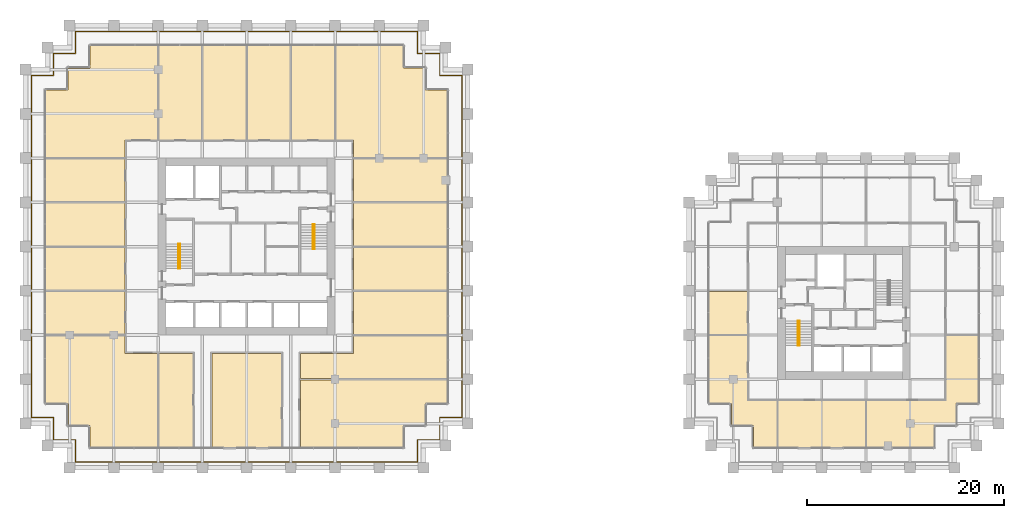
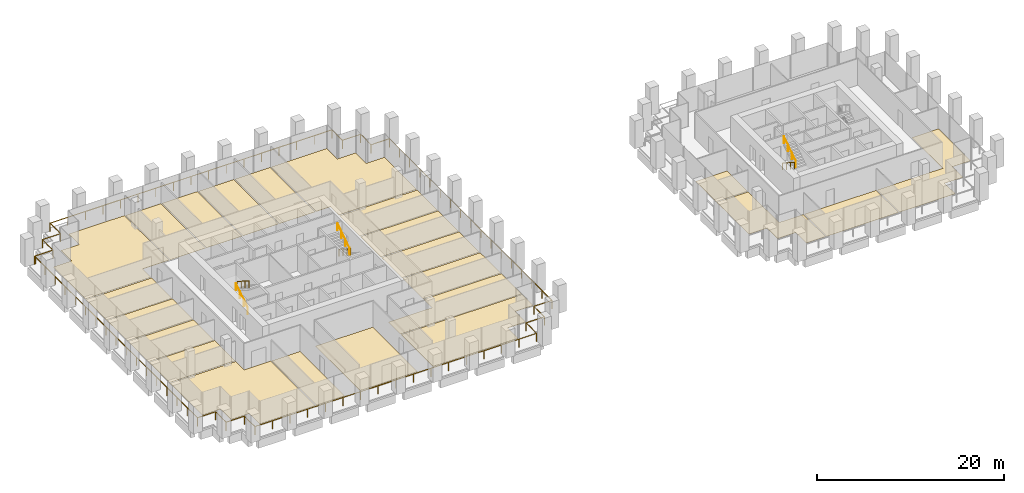
# One storey, part 55 of 56: 23 coverings, 7 railings.
"""IFC4 building model written with IfcOpenShell, lengths in metres."""

from ifc_helpers import new_model, si_unit, direction, frame, origin, origin_2d, place, context, subcontext, project, spatial, polyline, circle, outline, extrude, source, transform, mapped, material, layer, layer_set, type_object, element, save


model = new_model("IFC4")

# Units and contexts
model_context = context("Model", 3, precision=1e-05, world=origin(), true_north=direction((0.0, 1.0)))
body_context = subcontext(model_context, "Body", "Model", "MODEL_VIEW")
ifc_project = project(units=[si_unit("LENGTHUNIT", "METRE"), si_unit("AREAUNIT", "SQUARE_METRE"), si_unit("VOLUMEUNIT", "CUBIC_METRE"), si_unit("PLANEANGLEUNIT", "RADIAN"), si_unit("MASSUNIT", "GRAM", prefix="KILO")], contexts=[model_context])

# Site, building, storey
site_placement = place(None, origin())
site = spatial("IfcSite", under=ifc_project, at=site_placement, CompositionType="ELEMENT")
building_placement = place(site_placement, origin())
building = spatial("IfcBuilding", under=site, at=building_placement, Name="Altepetl Exchange Towers", CompositionType="ELEMENT")
storey_placement = place(building_placement, frame((0.0, 0.0, 76.199951171875)))
storey = spatial("IfcBuildingStorey", under=building, at=storey_placement, Name="L18", CompositionType="ELEMENT", Elevation=76.199951171875)

# Coverings
ifc_material_1 = material(Name="Carpet tile")
ifc_layer_1 = layer(ifc_material_1, 0.02001953125)
ifc_layer_set_1 = layer_set([ifc_layer_1], Name="Carpet tile")
covering_type_1 = type_object("IfcCoveringType", Name="Carpet tile floor", PredefinedType="FLOORING", material=ifc_layer_set_1)
covering_1_placement = place(storey_placement, origin())
element("IfcCovering", 1, at=covering_1_placement, inside=storey, type_object=covering_type_1, Name="Print room floor finish A18.01", PredefinedType="FLOORING", context=body_context, shape_type="SweptSolid", body=[
    extrude(outline(polyline([(37.137451171875, 49.4375), (29.0625, 49.4375), (29.0625, 45.0625), (37.137451171875, 45.0625), (37.137451171875, 49.4375)])), origin(), (0.0, 0.0, 1.0), 0.02001953125),
])
covering_2_placement = place(storey_placement, origin())
element("IfcCovering", 2, at=covering_2_placement, inside=storey, type_object=covering_type_1, Name="Open office floor finish A18.03", PredefinedType="FLOORING", context=body_context, shape_type="SweptSolid", body=[
    extrude(outline(polyline([(37.137451171875, 40.4375), (29.0625, 40.4375), (29.0625, 33.5625), (31.3125, 33.5625), (31.3125, 31.3125), (33.5625, 31.3125), (33.5625, 29.0625), (40.4375, 29.0625), (40.4375, 38.637451171875), (37.137451171875, 38.637451171875), (37.137451171875, 40.4375)])), origin(), (0.0, 0.0, 1.0), 0.02001953125),
])
covering_3_placement = place(storey_placement, origin())
element("IfcCovering", 3, at=covering_3_placement, inside=storey, type_object=covering_type_1, Name="Print room floor finish A18.04", PredefinedType="FLOORING", context=body_context, shape_type="SweptSolid", body=[
    extrude(outline(polyline([(40.5625, 38.637451171875), (40.5625, 29.0625), (44.03759765625, 29.0625), (44.03759765625, 38.637451171875), (40.5625, 38.637451171875)])), origin(), (0.0, 0.0, 1.0), 0.02001953125),
])
covering_4_placement = place(storey_placement, origin())
element("IfcCovering", 4, at=covering_4_placement, inside=storey, type_object=covering_type_1, Name="Meeting room floor finish A18.07", PredefinedType="FLOORING", context=body_context, shape_type="SweptSolid", body=[
    extrude(outline(polyline([(69.9375, 40.4375), (60.362548828125, 40.4375), (60.362548828125, 38.637451171875), (54.96240234375, 38.637451171875), (54.96240234375, 36.0625), (69.9375, 36.0625), (69.9375, 40.4375)])), origin(), (0.0, 0.0, 1.0), 0.02001953125),
])
covering_5_placement = place(storey_placement, origin())
element("IfcCovering", 5, at=covering_5_placement, inside=storey, type_object=covering_type_1, Name="Huddle room floor finish A18.08", PredefinedType="FLOORING", context=body_context, shape_type="SweptSolid", body=[
    extrude(outline(polyline([(69.9375, 44.9375), (60.362548828125, 44.9375), (60.362548828125, 40.5625), (69.9375, 40.5625), (69.9375, 44.9375)])), origin(), (0.0, 0.0, 1.0), 0.02001953125),
])
covering_6_placement = place(storey_placement, origin())
element("IfcCovering", 6, at=covering_6_placement, inside=storey, type_object=covering_type_1, Name="Meeting room floor finish A18.09", PredefinedType="FLOORING", context=body_context, shape_type="SweptSolid", body=[
    extrude(outline(polyline([(69.9375, 49.4375), (60.362548828125, 49.4375), (60.362548828125, 45.0625), (69.9375, 45.0625), (69.9375, 49.4375)])), origin(), (0.0, 0.0, 1.0), 0.02001953125),
])
covering_7_placement = place(storey_placement, origin())
element("IfcCovering", 7, at=covering_7_placement, inside=storey, type_object=covering_type_1, Name="Huddle room floor finish A18.10", PredefinedType="FLOORING", context=body_context, shape_type="SweptSolid", body=[
    extrude(outline(polyline([(69.9375, 53.9375), (60.362548828125, 53.9375), (60.362548828125, 49.5625), (69.9375, 49.5625), (69.9375, 53.9375)])), origin(), (0.0, 0.0, 1.0), 0.02001953125),
])
covering_8_placement = place(storey_placement, origin())
element("IfcCovering", 8, at=covering_8_placement, inside=storey, type_object=covering_type_1, Name="Meeting room floor finish A18.11", PredefinedType="FLOORING", context=body_context, shape_type="SweptSolid", body=[
    extrude(outline(polyline([(69.9375, 58.4375), (60.362548828125, 58.4375), (60.362548828125, 54.0625), (69.9375, 54.0625), (69.9375, 58.4375)])), origin(), (0.0, 0.0, 1.0), 0.02001953125),
])
covering_9_placement = place(storey_placement, origin())
element("IfcCovering", 9, at=covering_9_placement, inside=storey, type_object=covering_type_1, Name="Huddle room floor finish A18.13", PredefinedType="FLOORING", context=body_context, shape_type="SweptSolid", body=[
    extrude(outline(polyline([(54.0625, 69.9375), (54.0625, 60.362548828125), (58.4375, 60.362548828125), (58.4375, 69.9375), (54.0625, 69.9375)])), origin(), (0.0, 0.0, 1.0), 0.02001953125),
])
covering_10_placement = place(storey_placement, origin())
element("IfcCovering", 10, at=covering_10_placement, inside=storey, type_object=covering_type_1, Name="Meeting room floor finish A18.14", PredefinedType="FLOORING", context=body_context, shape_type="SweptSolid", body=[
    extrude(outline(polyline([(49.5625, 69.9375), (49.5625, 60.362548828125), (53.9375, 60.362548828125), (53.9375, 69.9375), (49.5625, 69.9375)])), origin(), (0.0, 0.0, 1.0), 0.02001953125),
])
covering_11_placement = place(storey_placement, origin())
element("IfcCovering", 11, at=covering_11_placement, inside=storey, type_object=covering_type_1, Name="Huddle room floor finish A18.15", PredefinedType="FLOORING", context=body_context, shape_type="SweptSolid", body=[
    extrude(outline(polyline([(45.0625, 69.9375), (45.0625, 60.362548828125), (49.4375, 60.362548828125), (49.4375, 69.9375), (45.0625, 69.9375)])), origin(), (0.0, 0.0, 1.0), 0.02001953125),
])
covering_12_placement = place(storey_placement, origin())
element("IfcCovering", 12, at=covering_12_placement, inside=storey, type_object=covering_type_1, Name="Meeting room floor finish A18.16", PredefinedType="FLOORING", context=body_context, shape_type="SweptSolid", body=[
    extrude(outline(polyline([(40.5625, 69.9375), (40.5625, 60.362548828125), (44.9375, 60.362548828125), (44.9375, 69.9375), (40.5625, 69.9375)])), origin(), (0.0, 0.0, 1.0), 0.02001953125),
])
covering_13_placement = place(storey_placement, origin())
element("IfcCovering", 13, at=covering_13_placement, inside=storey, type_object=covering_type_1, Name="Print room floor finish A18.18", PredefinedType="FLOORING", context=body_context, shape_type="SweptSolid", body=[
    extrude(outline(polyline([(37.137451171875, 58.4375), (29.0625, 58.4375), (29.0625, 54.0625), (37.137451171875, 54.0625), (37.137451171875, 58.4375)])), origin(), (0.0, 0.0, 1.0), 0.02001953125),
])
covering_14_placement = place(storey_placement, origin())
element("IfcCovering", 14, at=covering_14_placement, inside=storey, type_object=covering_type_1, Name="Conference room floor finish B18.01", PredefinedType="FLOORING", context=body_context, shape_type="SweptSolid", body=[
    extrude(outline(polyline([(103.4375, 29.0625), (103.4375, 33.83740234375), (100.4375, 33.83740234375), (100.4375, 40.4375), (96.5625, 40.4375), (96.5625, 33.5625), (98.8125, 33.5625), (98.8125, 31.3125), (101.0625, 31.3125), (101.0625, 29.0625), (103.4375, 29.0625)])), origin(), (0.0, 0.0, 1.0), 0.02001953125),
])
covering_15_placement = place(storey_placement, origin())
element("IfcCovering", 15, at=covering_15_placement, inside=storey, type_object=covering_type_1, Name="Huddle room floor finish B18.02", PredefinedType="FLOORING", context=body_context, shape_type="SweptSolid", body=[
    extrude(outline(polyline([(112.4375, 29.0625), (112.4375, 33.83740234375), (103.5625, 33.83740234375), (103.5625, 29.0625), (112.4375, 29.0625)])), origin(), (0.0, 0.0, 1.0), 0.02001953125),
])
covering_16_placement = place(storey_placement, origin())
element("IfcCovering", 16, at=covering_16_placement, inside=storey, type_object=covering_type_1, Name="Legal office floor finish B18.03", PredefinedType="FLOORING", context=body_context, shape_type="SweptSolid", body=[
    extrude(outline(polyline([(123.9375, 40.4375), (120.66259765625, 40.4375), (120.66259765625, 33.83740234375), (112.5625, 33.83740234375), (112.5625, 29.0625), (119.4375, 29.0625), (119.4375, 31.3125), (121.6875, 31.3125), (121.6875, 33.5625), (123.9375, 33.5625), (123.9375, 40.4375)])), origin(), (0.0, 0.0, 1.0), 0.02001953125),
])
covering_17_placement = place(storey_placement, origin())
element("IfcCovering", 17, at=covering_17_placement, inside=storey, type_object=covering_type_1, Name="Print room floor finish B18.08", PredefinedType="FLOORING", context=body_context, shape_type="SweptSolid", body=[
    extrude(outline(polyline([(96.5625, 40.5625), (100.4375, 40.5625), (100.4375, 44.9375), (96.5625, 44.9375), (96.5625, 40.5625)])), origin(), (0.0, 0.0, 1.0), 0.02001953125),
])
ifc_material_2 = material(Name="Calcium sulphate access floor panel")
ifc_layer_2 = layer(ifc_material_2, 0.0400390625)
ifc_layer_set_2 = layer_set([ifc_layer_2], Name="Calcium sulphate access floor panel")
covering_type_2 = type_object("IfcCoveringType", Name="Raised access floor panels", PredefinedType="FLOORING", material=ifc_layer_set_2)
covering_18_placement = place(storey_placement, origin())
element("IfcCovering", 18, at=covering_18_placement, inside=storey, type_object=covering_type_2, Name="Data room floor finish A18.02", PredefinedType="FLOORING", context=body_context, shape_type="SweptSolid", body=[
    extrude(outline(polyline([(37.137451171875, 44.9375), (29.0625, 44.9375), (29.0625, 40.5625), (37.137451171875, 40.5625), (37.137451171875, 44.9375)])), origin(), (0.0, 0.0, 1.0), 0.0400390625),
])
covering_19_placement = place(storey_placement, origin())
element("IfcCovering", 19, at=covering_19_placement, inside=storey, type_object=covering_type_2, Name="Clearing office floor finish A18.05", PredefinedType="FLOORING", context=body_context, shape_type="SweptSolid", body=[
    extrude(outline(polyline([(45.96240234375, 38.637451171875), (45.96240234375, 29.0625), (53.03759765625, 29.0625), (53.03759765625, 38.637451171875), (45.96240234375, 38.637451171875)])), origin(), (0.0, 0.0, 1.0), 0.0400390625),
])
covering_20_placement = place(storey_placement, origin())
element("IfcCovering", 20, at=covering_20_placement, inside=storey, type_object=covering_type_2, Name="Settlement office floor finish A18.06", PredefinedType="FLOORING", context=body_context, shape_type="SweptSolid", body=[
    extrude(outline(polyline([(69.9375, 35.9375), (54.96240234375, 35.9375), (54.96240234375, 29.0625), (65.4375, 29.0625), (65.4375, 31.3125), (67.6875, 31.3125), (67.6875, 33.5625), (69.9375, 33.5625), (69.9375, 35.9375)])), origin(), (0.0, 0.0, 1.0), 0.0400390625),
])
covering_21_placement = place(storey_placement, origin())
element("IfcCovering", 21, at=covering_21_placement, inside=storey, type_object=covering_type_2, Name="Settlement office floor finish A18.12", PredefinedType="FLOORING", context=body_context, shape_type="SweptSolid", body=[
    extrude(outline(polyline([(69.9375, 58.5625), (69.9375, 65.4375), (67.6875, 65.4375), (67.6875, 67.6875), (65.4375, 67.6875), (65.4375, 69.9375), (58.5625, 69.9375), (58.5625, 60.362548828125), (60.362548828125, 60.362548828125), (60.362548828125, 58.5625), (69.9375, 58.5625)])), origin(), (0.0, 0.0, 1.0), 0.0400390625),
])
covering_22_placement = place(storey_placement, origin())
element("IfcCovering", 22, at=covering_22_placement, inside=storey, type_object=covering_type_2, Name="Clearing office floor finish A18.17", PredefinedType="FLOORING", context=body_context, shape_type="SweptSolid", body=[
    extrude(outline(polyline([(33.5625, 69.9375), (33.5625, 67.6875), (31.3125, 67.6875), (31.3125, 65.4375), (29.0625, 65.4375), (29.0625, 58.5625), (37.137451171875, 58.5625), (37.137451171875, 60.362548828125), (40.4375, 60.362548828125), (40.4375, 69.9375), (33.5625, 69.9375)])), origin(), (0.0, 0.0, 1.0), 0.0400390625),
])
covering_23_placement = place(storey_placement, origin())
element("IfcCovering", 23, at=covering_23_placement, inside=storey, type_object=covering_type_2, Name="Data room floor finish A18.19", PredefinedType="FLOORING", context=body_context, shape_type="SweptSolid", body=[
    extrude(outline(polyline([(37.137451171875, 53.9375), (29.0625, 53.9375), (29.0625, 49.5625), (37.137451171875, 49.5625), (37.137451171875, 53.9375)])), origin(), (0.0, 0.0, 1.0), 0.0400390625),
])

# Railings
ifc_material_3 = material(Name="Steel S355", Category="steel")
railing_type_1 = type_object("IfcRailingType", Name="Guard 1100 steel posts and rail", PredefinedType="GUARDRAIL", material=ifc_material_3)
shared_shape_1 = source(origin(), body_context, "Body", "SweptSolid", [
    extrude(circle(Radius=0.02099609375, at=origin_2d()), origin(), (0.0, 0.0, 1.0), 1.052001953125),
])
railing_1_placement = place(storey_placement, frame((27.60009765625, 66.89990234375, 0.0)))
element("IfcRailing", 24, at=railing_1_placement, inside=storey, type_object=railing_type_1, Name="Loggia guard", PredefinedType="GUARDRAIL", context=body_context, shape_type="SweptSolid", body=[
    extrude(circle(Radius=0.02392578125, at=origin_2d()), frame((0.0, 0.0, 1.076171875), z_axis=(0.0, -1.0, 0.0), x_axis=(1.0, 0.0, 0.0)), (0.0, 0.0, 1.0), 34.7998046875),
    extrude(circle(Radius=0.02392578125, at=origin_2d()), frame((0.0, -34.7998046875, 1.076171875), z_axis=(1.0, 0.0, 0.0), x_axis=(0.0, 1.0, 0.0)), (0.0, 0.0, 1.0), 2.25),
    extrude(circle(Radius=0.02392578125, at=origin_2d()), frame((2.25, -34.7998046875, 1.076171875), z_axis=(0.0, -1.0, 0.0), x_axis=(1.0, 0.0, 0.0)), (0.0, 0.0, 1.0), 2.25),
    extrude(circle(Radius=0.02392578125, at=origin_2d()), frame((2.25, -37.0498046875, 1.076171875), z_axis=(1.0, 0.0, 0.0), x_axis=(0.0, 1.0, 0.0)), (0.0, 0.0, 1.0), 2.25),
    extrude(circle(Radius=0.02392578125, at=origin_2d()), frame((4.5, -37.0498046875, 1.076171875), z_axis=(0.0, -1.0, 0.0), x_axis=(1.0, 0.0, 0.0)), (0.0, 0.0, 1.0), 2.25),
    extrude(circle(Radius=0.02392578125, at=origin_2d()), frame((4.5, -39.2998046875, 1.076171875), z_axis=(1.0, 0.0, 0.0), x_axis=(0.0, 1.0, 0.0)), (0.0, 0.0, 1.0), 34.7998046875),
    extrude(circle(Radius=0.02392578125, at=origin_2d()), frame((39.2998046875, -39.2998046875, 1.076171875), z_axis=(0.0, 1.0, 0.0), x_axis=(-1.0, 0.0, 0.0)), (0.0, 0.0, 1.0), 2.25),
    extrude(circle(Radius=0.02392578125, at=origin_2d()), frame((39.2998046875, -37.0498046875, 1.076171875), z_axis=(1.0, 0.0, 0.0), x_axis=(0.0, 1.0, 0.0)), (0.0, 0.0, 1.0), 2.25),
    extrude(circle(Radius=0.02392578125, at=origin_2d()), frame((41.5498046875, -37.0498046875, 1.076171875), z_axis=(0.0, 1.0, 0.0), x_axis=(-1.0, 0.0, 0.0)), (0.0, 0.0, 1.0), 2.25),
    extrude(circle(Radius=0.02392578125, at=origin_2d()), frame((41.5498046875, -34.7998046875, 1.076171875), z_axis=(1.0, 0.0, 0.0), x_axis=(0.0, 1.0, 0.0)), (0.0, 0.0, 1.0), 2.25),
    extrude(circle(Radius=0.02392578125, at=origin_2d()), frame((43.7998046875, -34.7998046875, 1.076171875), z_axis=(0.0, 1.0, 0.0), x_axis=(-1.0, 0.0, 0.0)), (0.0, 0.0, 1.0), 34.7998046875),
    extrude(circle(Radius=0.02392578125, at=origin_2d()), frame((43.7998046875, 0.0, 1.076171875), z_axis=(-1.0, 0.0, 0.0), x_axis=(0.0, -1.0, 0.0)), (0.0, 0.0, 1.0), 2.25),
    extrude(circle(Radius=0.02392578125, at=origin_2d()), frame((41.5498046875, 0.0, 1.076171875), z_axis=(0.0, 1.0, 0.0), x_axis=(-1.0, 0.0, 0.0)), (0.0, 0.0, 1.0), 2.25),
    extrude(circle(Radius=0.02392578125, at=origin_2d()), frame((41.5498046875, 2.25, 1.076171875), z_axis=(-1.0, 0.0, 0.0), x_axis=(0.0, -1.0, 0.0)), (0.0, 0.0, 1.0), 2.25),
    extrude(circle(Radius=0.02392578125, at=origin_2d()), frame((39.2998046875, 2.25, 1.076171875), z_axis=(0.0, 1.0, 0.0), x_axis=(-1.0, 0.0, 0.0)), (0.0, 0.0, 1.0), 2.25),
    extrude(circle(Radius=0.02392578125, at=origin_2d()), frame((39.2998046875, 4.5, 1.076171875), z_axis=(-1.0, 0.0, 0.0), x_axis=(0.0, -1.0, 0.0)), (0.0, 0.0, 1.0), 34.7998046875),
    extrude(circle(Radius=0.02392578125, at=origin_2d()), frame((4.5, 4.5, 1.076171875), z_axis=(0.0, -1.0, 0.0), x_axis=(1.0, 0.0, 0.0)), (0.0, 0.0, 1.0), 2.25),
    extrude(circle(Radius=0.02392578125, at=origin_2d()), frame((4.5, 2.25, 1.076171875), z_axis=(-1.0, 0.0, 0.0), x_axis=(0.0, -1.0, 0.0)), (0.0, 0.0, 1.0), 2.25),
    extrude(circle(Radius=0.02392578125, at=origin_2d()), frame((2.25, 2.25, 1.076171875), z_axis=(0.0, -1.0, 0.0), x_axis=(1.0, 0.0, 0.0)), (0.0, 0.0, 1.0), 2.25),
    extrude(circle(Radius=0.02392578125, at=origin_2d()), frame((2.25, 0.0, 1.076171875), z_axis=(-1.0, 0.0, 0.0), x_axis=(0.0, -1.0, 0.0)), (0.0, 0.0, 1.0), 2.150146484375),
    mapped(shared_shape_1, transform((0.0, 0.0, 0.0))),
    mapped(shared_shape_1, transform((0.0, -2.175048828125, 0.0))),
    mapped(shared_shape_1, transform((0.0, -4.35009765625, 0.0))),
    mapped(shared_shape_1, transform((0.0, -6.52490234375, 0.0))),
    mapped(shared_shape_1, transform((0.0, -8.699951171875, 0.0))),
    mapped(shared_shape_1, transform((0.0, -10.875, 0.0))),
    mapped(shared_shape_1, transform((0.0, -13.0498046875, 0.0))),
    mapped(shared_shape_1, transform((0.0, -15.224853515625, 0.0))),
    mapped(shared_shape_1, transform((0.0, -17.39990234375, 0.0))),
    mapped(shared_shape_1, transform((0.0, -19.574951171875, 0.0))),
    mapped(shared_shape_1, transform((0.0, -21.75, 0.0))),
    mapped(shared_shape_1, transform((0.0, -23.9248046875, 0.0))),
    mapped(shared_shape_1, transform((0.0, -26.099853515625, 0.0))),
    mapped(shared_shape_1, transform((0.0, -28.27490234375, 0.0))),
    mapped(shared_shape_1, transform((0.0, -30.44970703125, 0.0))),
    mapped(shared_shape_1, transform((0.0, -32.624755859375, 0.0))),
    mapped(shared_shape_1, transform((0.0, -34.7998046875, 0.0))),
    mapped(shared_shape_1, transform((2.25, -34.7998046875, 0.0))),
    mapped(shared_shape_1, transform((2.25, -37.0498046875, 0.0))),
    mapped(shared_shape_1, transform((4.5, -37.0498046875, 0.0))),
    mapped(shared_shape_1, transform((4.5, -39.2998046875, 0.0))),
    mapped(shared_shape_1, transform((6.675048828125, -39.2998046875, 0.0))),
    mapped(shared_shape_1, transform((8.85009765625, -39.2998046875, 0.0))),
    mapped(shared_shape_1, transform((11.02490234375, -39.2998046875, 0.0))),
    mapped(shared_shape_1, transform((13.199951171875, -39.2998046875, 0.0))),
    mapped(shared_shape_1, transform((15.375, -39.2998046875, 0.0))),
    mapped(shared_shape_1, transform((17.5498046875, -39.2998046875, 0.0))),
    mapped(shared_shape_1, transform((19.724853515625, -39.2998046875, 0.0))),
    mapped(shared_shape_1, transform((21.89990234375, -39.2998046875, 0.0))),
    mapped(shared_shape_1, transform((24.074951171875, -39.2998046875, 0.0))),
    mapped(shared_shape_1, transform((26.25, -39.2998046875, 0.0))),
    mapped(shared_shape_1, transform((28.4248046875, -39.2998046875, 0.0))),
    mapped(shared_shape_1, transform((30.599853515625, -39.2998046875, 0.0))),
    mapped(shared_shape_1, transform((32.77490234375, -39.2998046875, 0.0))),
    mapped(shared_shape_1, transform((34.94970703125, -39.2998046875, 0.0))),
    mapped(shared_shape_1, transform((37.124755859375, -39.2998046875, 0.0))),
    mapped(shared_shape_1, transform((39.2998046875, -39.2998046875, 0.0))),
    mapped(shared_shape_1, transform((39.2998046875, -37.0498046875, 0.0))),
    mapped(shared_shape_1, transform((41.5498046875, -37.0498046875, 0.0))),
    mapped(shared_shape_1, transform((41.5498046875, -34.7998046875, 0.0))),
    mapped(shared_shape_1, transform((43.7998046875, -34.7998046875, 0.0))),
    mapped(shared_shape_1, transform((43.7998046875, -32.624755859375, 0.0))),
    mapped(shared_shape_1, transform((43.7998046875, -30.44970703125, 0.0))),
    mapped(shared_shape_1, transform((43.7998046875, -28.27490234375, 0.0))),
    mapped(shared_shape_1, transform((43.7998046875, -26.099853515625, 0.0))),
    mapped(shared_shape_1, transform((43.7998046875, -23.9248046875, 0.0))),
    mapped(shared_shape_1, transform((43.7998046875, -21.75, 0.0))),
    mapped(shared_shape_1, transform((43.7998046875, -19.574951171875, 0.0))),
    mapped(shared_shape_1, transform((43.7998046875, -17.39990234375, 0.0))),
    mapped(shared_shape_1, transform((43.7998046875, -15.224853515625, 0.0))),
    mapped(shared_shape_1, transform((43.7998046875, -13.0498046875, 0.0))),
    mapped(shared_shape_1, transform((43.7998046875, -10.875, 0.0))),
    mapped(shared_shape_1, transform((43.7998046875, -8.699951171875, 0.0))),
    mapped(shared_shape_1, transform((43.7998046875, -6.52490234375, 0.0))),
    mapped(shared_shape_1, transform((43.7998046875, -4.35009765625, 0.0))),
    mapped(shared_shape_1, transform((43.7998046875, -2.175048828125, 0.0))),
    mapped(shared_shape_1, transform((43.7998046875, 0.0, 0.0))),
    mapped(shared_shape_1, transform((41.5498046875, 0.0, 0.0))),
    mapped(shared_shape_1, transform((41.5498046875, 2.25, 0.0))),
    mapped(shared_shape_1, transform((39.2998046875, 2.25, 0.0))),
    mapped(shared_shape_1, transform((39.2998046875, 4.5, 0.0))),
    mapped(shared_shape_1, transform((37.124755859375, 4.5, 0.0))),
    mapped(shared_shape_1, transform((34.94970703125, 4.5, 0.0))),
    mapped(shared_shape_1, transform((32.77490234375, 4.5, 0.0))),
    mapped(shared_shape_1, transform((30.599853515625, 4.5, 0.0))),
    mapped(shared_shape_1, transform((28.4248046875, 4.5, 0.0))),
    mapped(shared_shape_1, transform((26.25, 4.5, 0.0))),
    mapped(shared_shape_1, transform((24.074951171875, 4.5, 0.0))),
    mapped(shared_shape_1, transform((21.89990234375, 4.5, 0.0))),
    mapped(shared_shape_1, transform((19.724853515625, 4.5, 0.0))),
    mapped(shared_shape_1, transform((17.5498046875, 4.5, 0.0))),
    mapped(shared_shape_1, transform((15.375, 4.5, 0.0))),
    mapped(shared_shape_1, transform((13.199951171875, 4.5, 0.0))),
    mapped(shared_shape_1, transform((11.02490234375, 4.5, 0.0))),
    mapped(shared_shape_1, transform((8.85009765625, 4.5, 0.0))),
    mapped(shared_shape_1, transform((6.675048828125, 4.5, 0.0))),
    mapped(shared_shape_1, transform((4.5, 4.5, 0.0))),
    mapped(shared_shape_1, transform((4.5, 2.25, 0.0))),
    mapped(shared_shape_1, transform((2.25, 2.25, 0.0))),
    mapped(shared_shape_1, transform((2.25, 0.0, 0.0))),
    mapped(shared_shape_1, transform((0.099853515625, 0.0, 0.0))),
])
ifc_material_4 = material(Name="Steel", Category="steel")
railing_type_2 = type_object("IfcRailingType", Name="Stair handrail 50 steel tube", PredefinedType="HANDRAIL", material=ifc_material_4)
shared_shape_2 = source(origin(), body_context, "Body", "SweptSolid", [
    extrude(circle(Radius=0.02099609375, at=origin_2d()), origin(), (0.0, 0.0, 1.0), 0.851806640625),
])
railing_2_placement = place(storey_placement, frame((42.570068359375, 47.25, 0.179931640625)))
element("IfcRailing", 25, at=railing_2_placement, inside=storey, type_object=railing_type_2, Name="Stair handrail", PredefinedType="HANDRAIL", context=body_context, shape_type="SweptSolid", body=[
    extrude(circle(Radius=0.02392578125, at=origin_2d()), frame((0.0, 0.0, 0.8759765625), z_axis=(0.0, 0.841162588446, 0.540782303519), x_axis=(-1.0, 0.0, 0.0)), (0.0, 0.0, 1.0), 2.995849609375),
    mapped(shared_shape_2, transform((0.0, 0.0, 0.0))),
    mapped(shared_shape_2, transform((0.0, 0.840087890625, 0.5400390625))),
    mapped(shared_shape_2, transform((0.0, 1.679931640625, 1.080078125))),
    mapped(shared_shape_2, transform((0.0, 2.52001953125, 1.6201171875))),
])
for number, where, name in (
    (26, (42.72998046875, 49.77001953125, 1.97998046875), "Stair handrail"),
    (27, (56.429931640625, 51.75, 0.179931640625), "Stair handrail"),
):
    element("IfcRailing", number, at=place(storey_placement, frame(where)), inside=storey, type_object=railing_type_2, Name=name, PredefinedType="HANDRAIL", context=body_context, shape_type="SweptSolid", body=[
        extrude(circle(Radius=0.02392578125, at=origin_2d()), frame((0.0, 0.0, 0.8759765625), z_axis=(0.0, -0.841162588446, 0.540782303519), x_axis=(1.0, 0.0, 0.0)), (0.0, 0.0, 1.0), 2.995849609375),
        mapped(shared_shape_2, transform((0.0, 0.0, 0.0))),
        mapped(shared_shape_2, transform((0.0, -0.840087890625, 0.5400390625))),
        mapped(shared_shape_2, transform((0.0, -1.679931640625, 1.080078125))),
        mapped(shared_shape_2, transform((0.0, -2.52001953125, 1.6201171875))),
    ])
railing_3_placement = place(storey_placement, frame((56.27001953125, 49.22998046875, 1.97998046875)))
element("IfcRailing", 28, at=railing_3_placement, inside=storey, type_object=railing_type_2, Name="Stair handrail", PredefinedType="HANDRAIL", context=body_context, shape_type="SweptSolid", body=[
    extrude(circle(Radius=0.02392578125, at=origin_2d()), frame((0.0, 0.0, 0.8759765625), z_axis=(0.0, 0.841162588446, 0.540782303519), x_axis=(-1.0, 0.0, 0.0)), (0.0, 0.0, 1.0), 2.995849609375),
    mapped(shared_shape_2, transform((0.0, 0.0, 0.0))),
    mapped(shared_shape_2, transform((0.0, 0.840087890625, 0.5400390625))),
    mapped(shared_shape_2, transform((0.0, 1.679931640625, 1.080078125))),
    mapped(shared_shape_2, transform((0.0, 2.52001953125, 1.6201171875))),
])
railing_4_placement = place(storey_placement, frame((105.570068359375, 41.949951171875, 0.179931640625)))
element("IfcRailing", 29, at=railing_4_placement, inside=storey, type_object=railing_type_2, Name="Stair handrail", PredefinedType="HANDRAIL", context=body_context, shape_type="SweptSolid", body=[
    extrude(circle(Radius=0.02392578125, at=origin_2d()), frame((0.0, 0.0, 0.8759765625), z_axis=(0.0, -0.841162588446, 0.540782303519), x_axis=(1.0, 0.0, 0.0)), (0.0, 0.0, 1.0), 2.995849609375),
    mapped(shared_shape_2, transform((0.0, 0.0, 0.0))),
    mapped(shared_shape_2, transform((0.0, -0.840087890625, 0.5400390625))),
    mapped(shared_shape_2, transform((0.0, -1.679931640625, 1.080078125))),
    mapped(shared_shape_2, transform((0.0, -2.52001953125, 1.6201171875))),
])
railing_5_placement = place(storey_placement, frame((105.72998046875, 39.429931640625, 1.97998046875)))
element("IfcRailing", 30, at=railing_5_placement, inside=storey, type_object=railing_type_2, Name="Stair handrail", PredefinedType="HANDRAIL", context=body_context, shape_type="SweptSolid", body=[
    extrude(circle(Radius=0.02392578125, at=origin_2d()), frame((0.0, 0.0, 0.8759765625), z_axis=(0.0, 0.841162588446, 0.540782303519), x_axis=(-1.0, 0.0, 0.0)), (0.0, 0.0, 1.0), 2.995849609375),
    mapped(shared_shape_2, transform((0.0, 0.0, 0.0))),
    mapped(shared_shape_2, transform((0.0, 0.840087890625, 0.5400390625))),
    mapped(shared_shape_2, transform((0.0, 1.679931640625, 1.080078125))),
    mapped(shared_shape_2, transform((0.0, 2.52001953125, 1.6201171875))),
])

save(model, "model.ifc")
